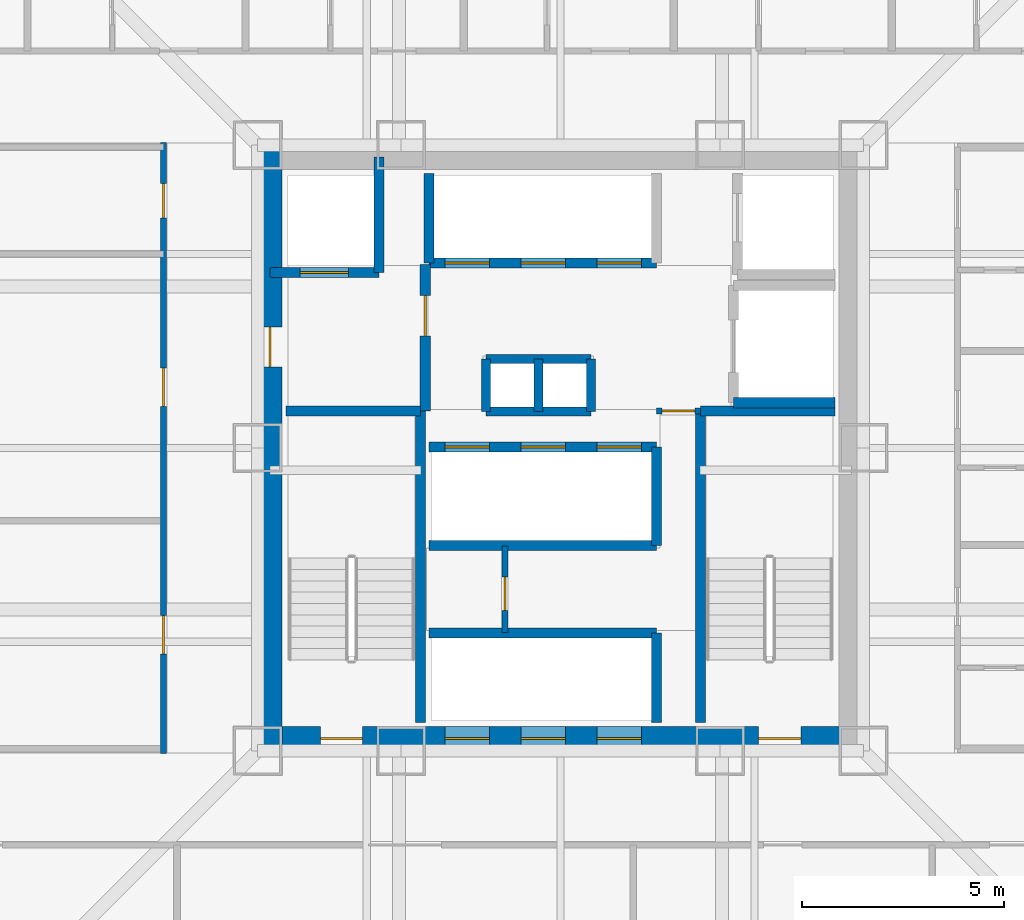
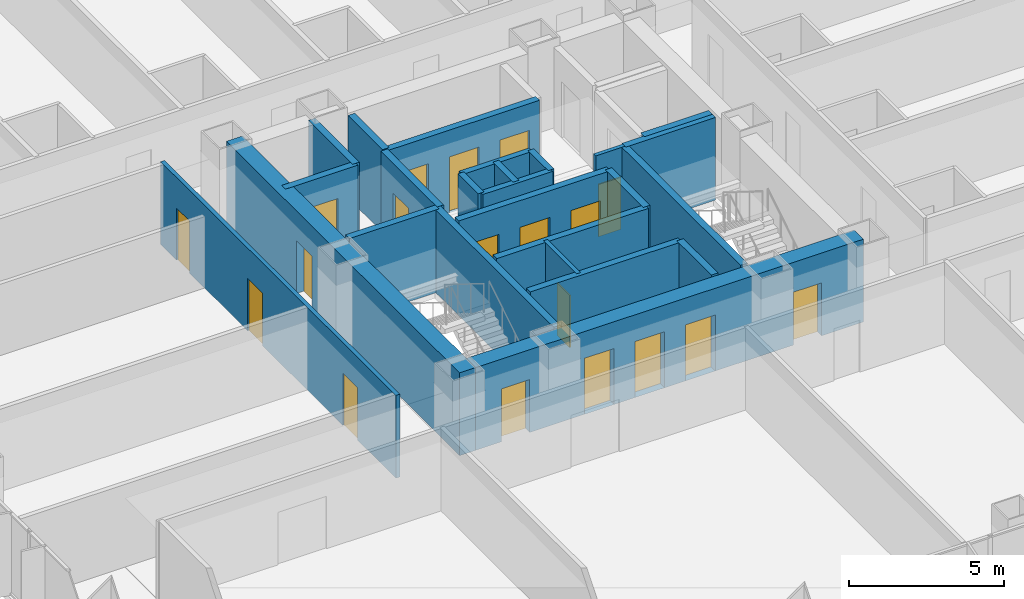
# One storey, part 11 of 17: 25 walls, 19 doors, 19 openings.
"""IFC4 building model written with IfcOpenShell, lengths in metres."""

from ifc_helpers import new_model, si_unit, direction, frame, frame_2d, origin, place, context, subcontext, project, spatial, rectangle, extrude, material, layer, layer_set, type_object, element, fill, save


model = new_model("IFC4")

# Units and contexts
model_context = context("Model", 3, precision=1e-05, world=origin(), true_north=direction((0.0, 1.0)))
body_context = subcontext(model_context, "Body", "Model", "MODEL_VIEW")
ifc_project = project(units=[si_unit("LENGTHUNIT", "METRE"), si_unit("AREAUNIT", "SQUARE_METRE"), si_unit("VOLUMEUNIT", "CUBIC_METRE"), si_unit("PLANEANGLEUNIT", "RADIAN"), si_unit("MASSUNIT", "GRAM", prefix="KILO")], contexts=[model_context])

# Site, building, storey
site_placement = place(None, origin())
site = spatial("IfcSite", under=ifc_project, at=site_placement, CompositionType="ELEMENT")
building_placement = place(site_placement, origin())
building = spatial("IfcBuilding", under=site, at=building_placement, Name="Trevonay Congress Spire", CompositionType="ELEMENT")
storey_placement = place(building_placement, frame((0.0, 0.0, 69.0)))
storey = spatial("IfcBuildingStorey", under=building, at=storey_placement, Name="L17", CompositionType="ELEMENT", Elevation=69.0)

# Wall, openings, doors
ifc_material_1 = material(Name="Concrete C60/75", Category="concrete")
ifc_layer_1 = layer(ifc_material_1, 0.60009765625, Name="Concrete C60/75")
ifc_layer_set_1 = layer_set([ifc_layer_1], Name="Concrete C60/75")
wall_type_1 = type_object("IfcWallType", Name="WAL-CORE-600", PredefinedType="SHEAR", material=ifc_layer_set_1)
wall_1_placement = place(storey_placement, frame((-7.5, -7.199951171875, 0.0), z_axis=(0.0, 0.0, 1.0), x_axis=(1.0, 0.0, 0.0)))
wall_1 = element("IfcWall", 1, at=wall_1_placement, inside=storey, type_object=wall_type_1, Name="L17 South structural core shear wall", PredefinedType="SHEAR", context=body_context, shape_type="SweptSolid", body=[
    extrude(rectangle(XDim=15.0, YDim=0.60009765625, at=frame_2d((7.5, 0.0))), origin(), (0.0, 0.0, 1.0), 3.25),
])
opening_1_placement = place(wall_1_placement, frame((1.550048828125, 0.0, 0.0)))
opening_1 = element("IfcOpeningElement", 2, at=opening_1_placement, cuts=wall_1, Name="Opening D05", PredefinedType="OPENING", context=body_context, shape_type="SweptSolid", body=[
    extrude(rectangle(XDim=1.050048828125, YDim=2.080078125, at=frame_2d((0.52490234375, 1.0400390625))), frame((0.0, 0.31005859375, 0.0), z_axis=(0.0, -1.0, 0.0), x_axis=(1.0, 0.0, 0.0)), (0.0, 0.0, 1.0), 0.6201171875),
])
opening_2_placement = place(wall_1_placement, frame((12.39990234375, 0.0, 0.0)))
opening_2 = element("IfcOpeningElement", 3, at=opening_2_placement, cuts=wall_1, Name="Opening D05", PredefinedType="OPENING", context=body_context, shape_type="SweptSolid", body=[
    extrude(rectangle(XDim=1.050048828125, YDim=2.080078125, at=frame_2d((0.52490234375, 1.0400390625))), frame((0.0, 0.31005859375, 0.0), z_axis=(0.0, -1.0, 0.0), x_axis=(1.0, 0.0, 0.0)), (0.0, 0.0, 1.0), 0.6201171875),
])
opening_3_placement = place(wall_1_placement, frame((4.639892578125, 0.0, 0.0)))
opening_3 = element("IfcOpeningElement", 4, at=opening_3_placement, cuts=wall_1, Name="Opening LD01", PredefinedType="OPENING", context=body_context, shape_type="SweptSolid", body=[
    extrude(rectangle(XDim=1.10009765625, YDim=2.199951171875, at=frame_2d((0.550048828125, 1.10009765625))), frame((0.0, 0.31005859375, 0.0), z_axis=(0.0, -1.0, 0.0), x_axis=(1.0, 0.0, 0.0)), (0.0, 0.0, 1.0), 0.6201171875),
])
opening_4_placement = place(wall_1_placement, frame((6.52001953125, 0.0, 0.0)))
opening_4 = element("IfcOpeningElement", 5, at=opening_4_placement, cuts=wall_1, Name="Opening LD01", PredefinedType="OPENING", context=body_context, shape_type="SweptSolid", body=[
    extrude(rectangle(XDim=1.10009765625, YDim=2.199951171875, at=frame_2d((0.550048828125, 1.10009765625))), frame((0.0, 0.31005859375, 0.0), z_axis=(0.0, -1.0, 0.0), x_axis=(1.0, 0.0, 0.0)), (0.0, 0.0, 1.0), 0.6201171875),
])
opening_5_placement = place(wall_1_placement, frame((8.39990234375, 0.0, 0.0)))
opening_5 = element("IfcOpeningElement", 6, at=opening_5_placement, cuts=wall_1, Name="Opening LD01", PredefinedType="OPENING", context=body_context, shape_type="SweptSolid", body=[
    extrude(rectangle(XDim=1.10009765625, YDim=2.199951171875, at=frame_2d((0.550048828125, 1.10009765625))), frame((0.0, 0.31005859375, 0.0), z_axis=(0.0, -1.0, 0.0), x_axis=(1.0, 0.0, 0.0)), (0.0, 0.0, 1.0), 0.6201171875),
])
ifc_material_2 = material(Name="Pale Anodised Aluminium EN AW-6063-T6", Category="aluminium")
door_type_1 = type_object("IfcDoorType", Name="DOR-LIFT-LD01", OperationType="DOUBLE_DOOR_SLIDING", PredefinedType="DOOR", material=ifc_material_2)
door_1_placement = place(opening_3_placement, origin())
door_1 = element("IfcDoor", 7, at=door_1_placement, inside=storey, type_object=door_type_1, Name="L17 Passenger lift PL-01 landing door", OperationType="DOUBLE_DOOR_SLIDING", OverallHeight=2.199951171875, OverallWidth=1.10009765625, PredefinedType="DOOR", context=body_context, shape_type="SweptSolid", body=[
    extrude(rectangle(XDim=1.10009765625, YDim=2.199951171875, at=frame_2d((0.550048828125, 1.10009765625))), frame((0.0, 0.02490234375, 0.0), z_axis=(0.0, -1.0, 0.0), x_axis=(1.0, 0.0, 0.0)), (0.0, 0.0, 1.0), 0.050048828125),
])
fill(opening_3, door_1)
door_2_placement = place(opening_4_placement, origin())
door_2 = element("IfcDoor", 8, at=door_2_placement, inside=storey, type_object=door_type_1, Name="L17 Passenger lift PL-02 landing door", OperationType="DOUBLE_DOOR_SLIDING", OverallHeight=2.199951171875, OverallWidth=1.10009765625, PredefinedType="DOOR", context=body_context, shape_type="SweptSolid", body=[
    extrude(rectangle(XDim=1.10009765625, YDim=2.199951171875, at=frame_2d((0.550048828125, 1.10009765625))), frame((0.0, 0.02490234375, 0.0), z_axis=(0.0, -1.0, 0.0), x_axis=(1.0, 0.0, 0.0)), (0.0, 0.0, 1.0), 0.050048828125),
])
fill(opening_4, door_2)
door_3_placement = place(opening_5_placement, origin())
door_3 = element("IfcDoor", 9, at=door_3_placement, inside=storey, type_object=door_type_1, Name="L17 Passenger lift PL-03 landing door", OperationType="DOUBLE_DOOR_SLIDING", OverallHeight=2.199951171875, OverallWidth=1.10009765625, PredefinedType="DOOR", context=body_context, shape_type="SweptSolid", body=[
    extrude(rectangle(XDim=1.10009765625, YDim=2.199951171875, at=frame_2d((0.550048828125, 1.10009765625))), frame((0.0, 0.02490234375, 0.0), z_axis=(0.0, -1.0, 0.0), x_axis=(1.0, 0.0, 0.0)), (0.0, 0.0, 1.0), 0.050048828125),
])
fill(opening_5, door_3)
ifc_material_3 = material(Name="Steel ASTM A572 Grade 50", Category="steel")
door_type_2 = type_object("IfcDoorType", Name="DOR-STAIR-110", OperationType="NOTDEFINED", PredefinedType="DOOR", material=ifc_material_3)
door_4_placement = place(opening_1_placement, origin())
door_4 = element("IfcDoor", 10, at=door_4_placement, inside=storey, type_object=door_type_2, Name="L17 Protected Stair ST-1 Door", OperationType="SINGLE_SWING_LEFT", OverallHeight=2.080078125, OverallWidth=1.050048828125, PredefinedType="DOOR", context=body_context, shape_type="SweptSolid", body=[
    extrude(rectangle(XDim=1.050048828125, YDim=2.080078125, at=frame_2d((0.52490234375, 1.0400390625))), frame((0.0, 0.02490234375, 0.0), z_axis=(0.0, -1.0, 0.0), x_axis=(1.0, 0.0, 0.0)), (0.0, 0.0, 1.0), 0.050048828125),
])
fill(opening_1, door_4)
door_5_placement = place(opening_2_placement, origin())
door_5 = element("IfcDoor", 11, at=door_5_placement, inside=storey, type_object=door_type_2, Name="L17 Protected Stair ST-2 Door", OperationType="SINGLE_SWING_RIGHT", OverallHeight=2.080078125, OverallWidth=1.050048828125, PredefinedType="DOOR", context=body_context, shape_type="SweptSolid", body=[
    extrude(rectangle(XDim=1.050048828125, YDim=2.080078125, at=frame_2d((0.52490234375, 1.0400390625))), frame((0.0, 0.02490234375, 0.0), z_axis=(0.0, -1.0, 0.0), x_axis=(1.0, 0.0, 0.0)), (0.0, 0.0, 1.0), 0.050048828125),
])
fill(opening_2, door_5)

# Wall, opening, door
wall_2_placement = place(storey_placement, frame((-7.199951171875, -7.5, 0.0), z_axis=(0.0, 0.0, 1.0), x_axis=(0.0, 1.0, 0.0)))
wall_2 = element("IfcWall", 12, at=wall_2_placement, inside=storey, type_object=wall_type_1, Name="L17 West structural core shear wall", PredefinedType="SHEAR", context=body_context, shape_type="SweptSolid", body=[
    extrude(rectangle(XDim=15.0, YDim=0.60009765625, at=frame_2d((7.5, 0.0))), origin(), (0.0, 0.0, 1.0), 3.25),
])
opening_6_placement = place(wall_2_placement, frame((9.5, 0.0, 0.0)))
opening_6 = element("IfcOpeningElement", 13, at=opening_6_placement, cuts=wall_2, Name="Opening D06", PredefinedType="OPENING", context=body_context, shape_type="SweptSolid", body=[
    extrude(rectangle(XDim=1.0, YDim=2.080078125, at=frame_2d((0.5, 1.0400390625))), frame((0.0, 0.31005859375, 0.0), z_axis=(0.0, -1.0, 0.0), x_axis=(1.0, 0.0, 0.0)), (0.0, 0.0, 1.0), 0.6201171875),
])
door_type_3 = type_object("IfcDoorType", Name="DOR-FIRE-100", OperationType="NOTDEFINED", PredefinedType="DOOR", material=ifc_material_3)
door_6_placement = place(opening_6_placement, origin())
door_6 = element("IfcDoor", 14, at=door_6_placement, inside=storey, type_object=door_type_3, Name="L17 Firefighting Lift Lobby West Corridor Door", OperationType="SINGLE_SWING_LEFT", OverallHeight=2.080078125, OverallWidth=1.0, PredefinedType="DOOR", context=body_context, shape_type="SweptSolid", body=[
    extrude(rectangle(XDim=1.0, YDim=2.080078125, at=frame_2d((0.5, 1.0400390625))), frame((0.0, 0.02490234375, 0.0), z_axis=(0.0, -1.0, 0.0), x_axis=(1.0, 0.0, 0.0)), (0.0, 0.0, 1.0), 0.050048828125),
])
fill(opening_6, door_6)

# Wall, openings, doors
ifc_material_4 = material(Name="Concrete C40/50", Category="concrete")
ifc_layer_2 = layer(ifc_material_4, 0.14990234375, Name="Concrete C40/50")
ifc_layer_set_2 = layer_set([ifc_layer_2], Name="Concrete C40/50")
wall_type_2 = type_object("IfcWallType", Name="WAL-CORR-150", PredefinedType="PARTITIONING", material=ifc_layer_set_2)
wall_3_placement = place(storey_placement, frame((-9.830078125, -7.570068359375, 0.0), z_axis=(0.0, 0.0, 1.0), x_axis=(0.0, 1.0, 0.0)))
wall_3 = element("IfcWall", 15, at=wall_3_placement, inside=storey, type_object=wall_type_2, Name="L17 interior wall WP-L17W-COR", PredefinedType="PARTITIONING", context=body_context, shape_type="SweptSolid", body=[
    extrude(rectangle(XDim=15.14013671875, YDim=0.14990234375, at=frame_2d((7.570068359375, 0.0))), origin(), (0.0, 0.0, 1.0), 3.25),
])
opening_7_placement = place(wall_3_placement, frame((2.469970703125, 0.0, 0.0)))
opening_7 = element("IfcOpeningElement", 16, at=opening_7_placement, cuts=wall_3, Name="Opening D07", PredefinedType="OPENING", context=body_context, shape_type="SweptSolid", body=[
    extrude(rectangle(XDim=0.949951171875, YDim=2.06005859375, at=frame_2d((0.47509765625, 1.030029296875))), frame((0.0, 0.0849609375, 0.0), z_axis=(0.0, -1.0, 0.0), x_axis=(1.0, 0.0, 0.0)), (0.0, 0.0, 1.0), 0.169921875),
])
opening_8_placement = place(wall_3_placement, frame((8.594970703125, 0.0, 0.0)))
opening_8 = element("IfcOpeningElement", 17, at=opening_8_placement, cuts=wall_3, Name="Opening D07", PredefinedType="OPENING", context=body_context, shape_type="SweptSolid", body=[
    extrude(rectangle(XDim=0.949951171875, YDim=2.06005859375, at=frame_2d((0.47509765625, 1.030029296875))), frame((0.0, 0.0849609375, 0.0), z_axis=(0.0, -1.0, 0.0), x_axis=(1.0, 0.0, 0.0)), (0.0, 0.0, 1.0), 0.169921875),
])
opening_9_placement = place(wall_3_placement, frame((13.27001953125, 0.0, 0.0)))
opening_9 = element("IfcOpeningElement", 18, at=opening_9_placement, cuts=wall_3, Name="Opening D10", PredefinedType="OPENING", context=body_context, shape_type="SweptSolid", body=[
    extrude(rectangle(XDim=0.85009765625, YDim=2.050048828125, at=frame_2d((0.425048828125, 1.02490234375))), frame((0.0, 0.0849609375, 0.0), z_axis=(0.0, -1.0, 0.0), x_axis=(1.0, 0.0, 0.0)), (0.0, 0.0, 1.0), 0.169921875),
])
door_type_4 = type_object("IfcDoorType", Name="DOR-OFFICE-95", OperationType="NOTDEFINED", PredefinedType="DOOR", material=ifc_material_2)
door_7_placement = place(opening_7_placement, origin())
door_7 = element("IfcDoor", 19, at=door_7_placement, inside=storey, type_object=door_type_4, Name="L17 Private Dining Boardroom 1 Door", OperationType="SINGLE_SWING_RIGHT", OverallHeight=2.06005859375, OverallWidth=0.949951171875, PredefinedType="DOOR", context=body_context, shape_type="SweptSolid", body=[
    extrude(rectangle(XDim=0.949951171875, YDim=2.06005859375, at=frame_2d((0.47509765625, 1.030029296875))), frame((0.0, 0.02490234375, 0.0), z_axis=(0.0, -1.0, 0.0), x_axis=(1.0, 0.0, 0.0)), (0.0, 0.0, 1.0), 0.050048828125),
])
fill(opening_7, door_7)
door_8_placement = place(opening_8_placement, origin())
door_8 = element("IfcDoor", 20, at=door_8_placement, inside=storey, type_object=door_type_4, Name="L17 Housekeeping and Linen Room Door", OperationType="SINGLE_SWING_LEFT", OverallHeight=2.06005859375, OverallWidth=0.949951171875, PredefinedType="DOOR", context=body_context, shape_type="SweptSolid", body=[
    extrude(rectangle(XDim=0.949951171875, YDim=2.06005859375, at=frame_2d((0.47509765625, 1.030029296875))), frame((0.0, 0.02490234375, 0.0), z_axis=(0.0, -1.0, 0.0), x_axis=(1.0, 0.0, 0.0)), (0.0, 0.0, 1.0), 0.050048828125),
])
fill(opening_8, door_8)
door_type_5 = type_object("IfcDoorType", Name="DOR-WC-85", OperationType="NOTDEFINED", PredefinedType="DOOR", material=ifc_material_2)
door_9_placement = place(opening_9_placement, origin())
door_9 = element("IfcDoor", 21, at=door_9_placement, inside=storey, type_object=door_type_5, Name="L17 Male Restroom WC Door", OperationType="SINGLE_SWING_RIGHT", OverallHeight=2.050048828125, OverallWidth=0.85009765625, PredefinedType="DOOR", context=body_context, shape_type="SweptSolid", body=[
    extrude(rectangle(XDim=0.85009765625, YDim=2.050048828125, at=frame_2d((0.425048828125, 1.02490234375))), frame((0.0, 0.02490234375, 0.0), z_axis=(0.0, -1.0, 0.0), x_axis=(1.0, 0.0, 0.0)), (0.0, 0.0, 1.0), 0.050048828125),
])
fill(opening_9, door_9)

# Wall, opening, door
ifc_layer_3 = layer(ifc_material_4, 0.14990234375, Name="Concrete C40/50")
ifc_layer_set_3 = layer_set([ifc_layer_3], Name="Concrete C40/50")
wall_type_3 = type_object("IfcWallType", Name="WAL-PART-150", PredefinedType="PARTITIONING", material=ifc_layer_set_3)
wall_4_placement = place(storey_placement, frame((2.3798828125, 0.919921875, 0.0), z_axis=(0.0, 0.0, 1.0), x_axis=(1.0, 0.0, 0.0)))
wall_4 = element("IfcWall", 22, at=wall_4_placement, inside=storey, type_object=wall_type_3, Name="L17 interior wall CW-CSRV-N-L17", PredefinedType="PARTITIONING", context=body_context, shape_type="SweptSolid", body=[
    extrude(rectangle(XDim=1.090087890625, YDim=0.14990234375, at=frame_2d((0.544921875, 0.0))), origin(), (0.0, 0.0, 1.0), 3.25),
])
opening_10_placement = place(wall_4_placement, frame((0.135009765625, 0.0, 0.0)))
opening_10 = element("IfcOpeningElement", 23, at=opening_10_placement, cuts=wall_4, Name="Opening D13", PredefinedType="OPENING", context=body_context, shape_type="SweptSolid", body=[
    extrude(rectangle(XDim=0.820068359375, YDim=2.050048828125, at=frame_2d((0.41015625, 1.02490234375))), frame((0.0, 0.0849609375, 0.0), z_axis=(0.0, -1.0, 0.0), x_axis=(1.0, 0.0, 0.0)), (0.0, 0.0, 1.0), 0.169921875),
])
door_type_6 = type_object("IfcDoorType", Name="DOR-UTIL-80", OperationType="NOTDEFINED", PredefinedType="DOOR", material=ifc_material_3)
door_10_placement = place(opening_10_placement, origin())
door_10 = element("IfcDoor", 24, at=door_10_placement, inside=storey, type_object=door_type_6, Name="L17 Core Service Pocket Door", OperationType="SINGLE_SWING_LEFT", OverallHeight=2.050048828125, OverallWidth=0.820068359375, PredefinedType="DOOR", context=body_context, shape_type="SweptSolid", body=[
    extrude(rectangle(XDim=0.820068359375, YDim=2.050048828125, at=frame_2d((0.41015625, 1.02490234375))), frame((0.0, 0.02490234375, 0.0), z_axis=(0.0, -1.0, 0.0), x_axis=(1.0, 0.0, 0.0)), (0.0, 0.0, 1.0), 0.050048828125),
])
fill(opening_10, door_10)

wall_5_placement = place(storey_placement, frame((-1.3798828125, -4.570068359375, 0.0), z_axis=(0.0, 0.0, 1.0), x_axis=(0.0, 1.0, 0.0)))
wall_5 = element("IfcWall", 25, at=wall_5_placement, inside=storey, type_object=wall_type_3, Name="L17 interior wall CW-K2-L17", PredefinedType="PARTITIONING", context=body_context, shape_type="SweptSolid", body=[
    extrude(rectangle(XDim=2.14013671875, YDim=0.14990234375, at=frame_2d((1.070068359375, 0.0))), origin(), (0.0, 0.0, 1.0), 3.25),
])
opening_11_placement = place(wall_5_placement, frame((0.550048828125, 0.0, 0.0)))
opening_11 = element("IfcOpeningElement", 26, at=opening_11_placement, cuts=wall_5, Name="Opening D13", PredefinedType="OPENING", context=body_context, shape_type="SweptSolid", body=[
    extrude(rectangle(XDim=0.820068359375, YDim=2.050048828125, at=frame_2d((0.41015625, 1.02490234375))), frame((0.0, 0.0849609375, 0.0), z_axis=(0.0, -1.0, 0.0), x_axis=(1.0, 0.0, 0.0)), (0.0, 0.0, 1.0), 0.169921875),
])
door_11_placement = place(opening_11_placement, origin())
door_11 = element("IfcDoor", 27, at=door_11_placement, inside=storey, type_object=door_type_6, Name="L17 Core Valve Room Door", OperationType="SINGLE_SWING_RIGHT", OverallHeight=2.050048828125, OverallWidth=0.820068359375, PredefinedType="DOOR", context=body_context, shape_type="SweptSolid", body=[
    extrude(rectangle(XDim=0.820068359375, YDim=2.050048828125, at=frame_2d((0.41015625, 1.02490234375))), frame((0.0, 0.02490234375, 0.0), z_axis=(0.0, -1.0, 0.0), x_axis=(1.0, 0.0, 0.0)), (0.0, 0.0, 1.0), 0.050048828125),
])
fill(opening_11, door_11)

# Walls
ifc_layer_4 = layer(ifc_material_4, 0.219970703125, Name="Concrete C40/50")
ifc_layer_set_4 = layer_set([ifc_layer_4], Name="Concrete C40/50")
wall_type_4 = type_object("IfcWallType", Name="WAL-SHAFT-220", PredefinedType="PARTITIONING", material=ifc_layer_set_4)
for number, where, z_axis, x_axis, name in (
    (28, (-1.85009765625, 2.199951171875, 0.0), (0.0, 0.0, 1.0), (1.0, 0.0, 0.0), "L17 interior shaft wall WSH-L17-RSR-N"),
    (29, (-1.85009765625, 0.89990234375, 0.0), (0.0, 0.0, 1.0), (1.0, 0.0, 0.0), "L17 interior shaft wall WSH-L17-RSR-S"),
):
    element("IfcWall", number, at=place(storey_placement, frame(where, z_axis=z_axis, x_axis=x_axis)), inside=storey, type_object=wall_type_4, Name=name, PredefinedType="PARTITIONING", context=body_context, shape_type="SweptSolid", body=[
        extrude(rectangle(XDim=2.60009765625, YDim=0.219970703125, at=frame_2d((1.300048828125, 0.0))), origin(), (0.0, 0.0, 1.0), 3.25),
    ])
for number, where, z_axis, x_axis, name in (
    (30, (-0.550048828125, 0.89990234375, 0.0), (0.0, 0.0, 1.0), (0.0, 1.0, 0.0), "L17 interior shaft wall WSH-L17-RSR-M"),
    (31, (0.75, 0.89990234375, 0.0), (0.0, 0.0, 1.0), (0.0, 1.0, 0.0), "L17 interior shaft wall WSH-L17-RSR-E"),
    (32, (-1.85009765625, 0.89990234375, 0.0), (0.0, 0.0, 1.0), (0.0, 1.0, 0.0), "L17 interior shaft wall WSH-L17-RSR-W"),
):
    element("IfcWall", number, at=place(storey_placement, frame(where, z_axis=z_axis, x_axis=x_axis)), inside=storey, type_object=wall_type_4, Name=name, PredefinedType="PARTITIONING", context=body_context, shape_type="SweptSolid", body=[
        extrude(rectangle(XDim=1.300048828125, YDim=0.219970703125, at=frame_2d((0.64990234375, 0.0))), origin(), (0.0, 0.0, 1.0), 3.25),
    ])
ifc_layer_5 = layer(ifc_material_4, 0.25, Name="Concrete C40/50")
ifc_layer_set_5 = layer_set([ifc_layer_5], Name="Concrete C40/50")
wall_type_5 = type_object("IfcWallType", Name="WAL-SHAFT-250", PredefinedType="SHEAR", material=ifc_layer_set_5)
wall_6_placement = place(storey_placement, frame((-3.260009765625, -4.580078125, 0.0), z_axis=(0.0, 0.0, 1.0), x_axis=(1.0, 0.0, 0.0)))
element("IfcWall", 33, at=wall_6_placement, inside=storey, type_object=wall_type_5, Name="L17 interior shaft wall WSH-L17-B1-N", PredefinedType="SHEAR", context=body_context, shape_type="SweptSolid", body=[
    extrude(rectangle(XDim=5.639892578125, YDim=0.25, at=frame_2d((2.81982421875, 0.0))), origin(), (0.0, 0.0, 1.0), 3.25),
])
wall_7_placement = place(storey_placement, frame((2.3798828125, -6.800048828125, 0.0), z_axis=(0.0, 0.0, 1.0), x_axis=(0.0, 1.0, 0.0)))
element("IfcWall", 34, at=wall_7_placement, inside=storey, type_object=wall_type_5, Name="L17 interior shaft wall WSH-L17-B1-E", PredefinedType="SHEAR", context=body_context, shape_type="SweptSolid", body=[
    extrude(rectangle(XDim=2.219970703125, YDim=0.25, at=frame_2d((1.10986328125, 0.0))), origin(), (0.0, 0.0, 1.0), 3.25),
])

# Wall, openings, doors
wall_8_placement = place(storey_placement, frame((-3.260009765625, 0.02001953125, 0.0), z_axis=(0.0, 0.0, 1.0), x_axis=(1.0, 0.0, 0.0)))
wall_8 = element("IfcWall", 35, at=wall_8_placement, inside=storey, type_object=wall_type_5, Name="L17 interior shaft wall WSH-L17-B2-N", PredefinedType="SHEAR", context=body_context, shape_type="SweptSolid", body=[
    extrude(rectangle(XDim=5.639892578125, YDim=0.25, at=frame_2d((2.81982421875, 0.0))), origin(), (0.0, 0.0, 1.0), 3.25),
])
opening_12_placement = place(wall_8_placement, frame((0.39990234375, 0.0, 0.0)))
opening_12 = element("IfcOpeningElement", 36, at=opening_12_placement, cuts=wall_8, Name="Opening LD02", PredefinedType="OPENING", context=body_context, shape_type="SweptSolid", body=[
    extrude(rectangle(XDim=1.10009765625, YDim=2.199951171875, at=frame_2d((0.550048828125, 1.10009765625))), frame((0.0, 0.135009765625, 0.0), z_axis=(0.0, -1.0, 0.0), x_axis=(1.0, 0.0, 0.0)), (0.0, 0.0, 1.0), 0.27001953125),
])
opening_13_placement = place(wall_8_placement, frame((2.280029296875, 0.0, 0.0)))
opening_13 = element("IfcOpeningElement", 37, at=opening_13_placement, cuts=wall_8, Name="Opening LD02", PredefinedType="OPENING", context=body_context, shape_type="SweptSolid", body=[
    extrude(rectangle(XDim=1.10009765625, YDim=2.199951171875, at=frame_2d((0.550048828125, 1.10009765625))), frame((0.0, 0.135009765625, 0.0), z_axis=(0.0, -1.0, 0.0), x_axis=(1.0, 0.0, 0.0)), (0.0, 0.0, 1.0), 0.27001953125),
])
opening_14_placement = place(wall_8_placement, frame((4.159912109375, 0.0, 0.0)))
opening_14 = element("IfcOpeningElement", 38, at=opening_14_placement, cuts=wall_8, Name="Opening LD02", PredefinedType="OPENING", context=body_context, shape_type="SweptSolid", body=[
    extrude(rectangle(XDim=1.10009765625, YDim=2.199951171875, at=frame_2d((0.550048828125, 1.10009765625))), frame((0.0, 0.135009765625, 0.0), z_axis=(0.0, -1.0, 0.0), x_axis=(1.0, 0.0, 0.0)), (0.0, 0.0, 1.0), 0.27001953125),
])
door_type_7 = type_object("IfcDoorType", Name="DOR-LIFT-LD02", OperationType="DOUBLE_DOOR_SLIDING", PredefinedType="DOOR", material=ifc_material_2)
door_12_placement = place(opening_12_placement, origin())
door_12 = element("IfcDoor", 39, at=door_12_placement, inside=storey, type_object=door_type_7, Name="L17 Passenger lift PL-04 landing door", OperationType="DOUBLE_DOOR_SLIDING", OverallHeight=2.199951171875, OverallWidth=1.10009765625, PredefinedType="DOOR", context=body_context, shape_type="SweptSolid", body=[
    extrude(rectangle(XDim=1.10009765625, YDim=2.199951171875, at=frame_2d((0.550048828125, 1.10009765625))), frame((0.0, 0.02490234375, 0.0), z_axis=(0.0, -1.0, 0.0), x_axis=(1.0, 0.0, 0.0)), (0.0, 0.0, 1.0), 0.050048828125),
])
fill(opening_12, door_12)
door_13_placement = place(opening_13_placement, origin())
door_13 = element("IfcDoor", 40, at=door_13_placement, inside=storey, type_object=door_type_7, Name="L17 Passenger lift PL-05 landing door", OperationType="DOUBLE_DOOR_SLIDING", OverallHeight=2.199951171875, OverallWidth=1.10009765625, PredefinedType="DOOR", context=body_context, shape_type="SweptSolid", body=[
    extrude(rectangle(XDim=1.10009765625, YDim=2.199951171875, at=frame_2d((0.550048828125, 1.10009765625))), frame((0.0, 0.02490234375, 0.0), z_axis=(0.0, -1.0, 0.0), x_axis=(1.0, 0.0, 0.0)), (0.0, 0.0, 1.0), 0.050048828125),
])
fill(opening_13, door_13)
door_14_placement = place(opening_14_placement, origin())
door_14 = element("IfcDoor", 41, at=door_14_placement, inside=storey, type_object=door_type_7, Name="L17 Passenger lift PL-06 landing door", OperationType="DOUBLE_DOOR_SLIDING", OverallHeight=2.199951171875, OverallWidth=1.10009765625, PredefinedType="DOOR", context=body_context, shape_type="SweptSolid", body=[
    extrude(rectangle(XDim=1.10009765625, YDim=2.199951171875, at=frame_2d((0.550048828125, 1.10009765625))), frame((0.0, 0.02490234375, 0.0), z_axis=(0.0, -1.0, 0.0), x_axis=(1.0, 0.0, 0.0)), (0.0, 0.0, 1.0), 0.050048828125),
])
fill(opening_14, door_14)

# Walls
wall_9_placement = place(storey_placement, frame((-3.260009765625, -2.419921875, 0.0), z_axis=(0.0, 0.0, 1.0), x_axis=(1.0, 0.0, 0.0)))
element("IfcWall", 42, at=wall_9_placement, inside=storey, type_object=wall_type_5, Name="L17 interior shaft wall WSH-L17-B2-S", PredefinedType="SHEAR", context=body_context, shape_type="SweptSolid", body=[
    extrude(rectangle(XDim=5.639892578125, YDim=0.25, at=frame_2d((2.81982421875, 0.0))), origin(), (0.0, 0.0, 1.0), 3.25),
])
wall_10_placement = place(storey_placement, frame((2.3798828125, -2.419921875, 0.0), z_axis=(0.0, 0.0, 1.0), x_axis=(0.0, 1.0, 0.0)))
element("IfcWall", 43, at=wall_10_placement, inside=storey, type_object=wall_type_5, Name="L17 interior shaft wall WSH-L17-B2-E", PredefinedType="SHEAR", context=body_context, shape_type="SweptSolid", body=[
    extrude(rectangle(XDim=2.43994140625, YDim=0.25, at=frame_2d((1.219970703125, 0.0))), origin(), (0.0, 0.0, 1.0), 3.25),
])

# Wall, openings, doors
wall_11_placement = place(storey_placement, frame((-3.260009765625, 4.580078125, 0.0), z_axis=(0.0, 0.0, 1.0), x_axis=(1.0, 0.0, 0.0)))
wall_11 = element("IfcWall", 44, at=wall_11_placement, inside=storey, type_object=wall_type_5, Name="L17 interior shaft wall WSH-L17-B3-S", PredefinedType="SHEAR", context=body_context, shape_type="SweptSolid", body=[
    extrude(rectangle(XDim=5.639892578125, YDim=0.25, at=frame_2d((2.81982421875, 0.0))), origin(), (0.0, 0.0, 1.0), 3.25),
])
opening_15_placement = place(wall_11_placement, frame((0.39990234375, 0.0, 0.0)))
opening_15 = element("IfcOpeningElement", 45, at=opening_15_placement, cuts=wall_11, Name="Opening LD03", PredefinedType="OPENING", context=body_context, shape_type="SweptSolid", body=[
    extrude(rectangle(XDim=1.10009765625, YDim=2.199951171875, at=frame_2d((0.550048828125, 1.10009765625))), frame((0.0, 0.135009765625, 0.0), z_axis=(0.0, -1.0, 0.0), x_axis=(1.0, 0.0, 0.0)), (0.0, 0.0, 1.0), 0.27001953125),
])
opening_16_placement = place(wall_11_placement, frame((2.280029296875, 0.0, 0.0)))
opening_16 = element("IfcOpeningElement", 46, at=opening_16_placement, cuts=wall_11, Name="Opening LD03", PredefinedType="OPENING", context=body_context, shape_type="SweptSolid", body=[
    extrude(rectangle(XDim=1.10009765625, YDim=2.199951171875, at=frame_2d((0.550048828125, 1.10009765625))), frame((0.0, 0.135009765625, 0.0), z_axis=(0.0, -1.0, 0.0), x_axis=(1.0, 0.0, 0.0)), (0.0, 0.0, 1.0), 0.27001953125),
])
opening_17_placement = place(wall_11_placement, frame((4.159912109375, 0.0, 0.0)))
opening_17 = element("IfcOpeningElement", 47, at=opening_17_placement, cuts=wall_11, Name="Opening LD03", PredefinedType="OPENING", context=body_context, shape_type="SweptSolid", body=[
    extrude(rectangle(XDim=1.10009765625, YDim=2.199951171875, at=frame_2d((0.550048828125, 1.10009765625))), frame((0.0, 0.135009765625, 0.0), z_axis=(0.0, -1.0, 0.0), x_axis=(1.0, 0.0, 0.0)), (0.0, 0.0, 1.0), 0.27001953125),
])
door_type_8 = type_object("IfcDoorType", Name="DOR-LIFT-LD03", OperationType="DOUBLE_DOOR_SLIDING", PredefinedType="DOOR", material=ifc_material_2)
door_15_placement = place(opening_15_placement, origin())
door_15 = element("IfcDoor", 48, at=door_15_placement, inside=storey, type_object=door_type_8, Name="L17 Passenger lift PL-07 landing door", OperationType="DOUBLE_DOOR_SLIDING", OverallHeight=2.199951171875, OverallWidth=1.10009765625, PredefinedType="DOOR", context=body_context, shape_type="SweptSolid", body=[
    extrude(rectangle(XDim=1.10009765625, YDim=2.199951171875, at=frame_2d((0.550048828125, 1.10009765625))), frame((0.0, 0.02490234375, 0.0), z_axis=(0.0, -1.0, 0.0), x_axis=(1.0, 0.0, 0.0)), (0.0, 0.0, 1.0), 0.050048828125),
])
fill(opening_15, door_15)
door_16_placement = place(opening_16_placement, origin())
door_16 = element("IfcDoor", 49, at=door_16_placement, inside=storey, type_object=door_type_8, Name="L17 Passenger lift PL-08 landing door", OperationType="DOUBLE_DOOR_SLIDING", OverallHeight=2.199951171875, OverallWidth=1.10009765625, PredefinedType="DOOR", context=body_context, shape_type="SweptSolid", body=[
    extrude(rectangle(XDim=1.10009765625, YDim=2.199951171875, at=frame_2d((0.550048828125, 1.10009765625))), frame((0.0, 0.02490234375, 0.0), z_axis=(0.0, -1.0, 0.0), x_axis=(1.0, 0.0, 0.0)), (0.0, 0.0, 1.0), 0.050048828125),
])
fill(opening_16, door_16)
door_17_placement = place(opening_17_placement, origin())
door_17 = element("IfcDoor", 50, at=door_17_placement, inside=storey, type_object=door_type_8, Name="L17 Passenger lift PL-09 landing door", OperationType="DOUBLE_DOOR_SLIDING", OverallHeight=2.199951171875, OverallWidth=1.10009765625, PredefinedType="DOOR", context=body_context, shape_type="SweptSolid", body=[
    extrude(rectangle(XDim=1.10009765625, YDim=2.199951171875, at=frame_2d((0.550048828125, 1.10009765625))), frame((0.0, 0.02490234375, 0.0), z_axis=(0.0, -1.0, 0.0), x_axis=(1.0, 0.0, 0.0)), (0.0, 0.0, 1.0), 0.050048828125),
])
fill(opening_17, door_17)

# Wall
wall_12_placement = place(storey_placement, frame((-3.260009765625, 4.580078125, 0.0), z_axis=(0.0, 0.0, 1.0), x_axis=(0.0, 1.0, 0.0)))
element("IfcWall", 51, at=wall_12_placement, inside=storey, type_object=wall_type_5, Name="L17 interior shaft wall WSH-L17-B3-W", PredefinedType="SHEAR", context=body_context, shape_type="SweptSolid", body=[
    extrude(rectangle(XDim=2.219970703125, YDim=0.25, at=frame_2d((1.10986328125, 0.0))), origin(), (0.0, 0.0, 1.0), 3.25),
])

# Wall, opening, door
wall_13_placement = place(storey_placement, frame((-7.199951171875, 4.35009765625, 0.0), z_axis=(0.0, 0.0, 1.0), x_axis=(1.0, 0.0, 0.0)))
wall_13 = element("IfcWall", 52, at=wall_13_placement, inside=storey, type_object=wall_type_5, Name="L17 interior shaft wall WSH-L17-FF1-S", PredefinedType="SHEAR", context=body_context, shape_type="SweptSolid", body=[
    extrude(rectangle(XDim=2.699951171875, YDim=0.25, at=frame_2d((1.35009765625, 0.0))), origin(), (0.0, 0.0, 1.0), 3.25),
])
opening_18_placement = place(wall_13_placement, frame((0.75, 0.0, 0.0)))
opening_18 = element("IfcOpeningElement", 53, at=opening_18_placement, cuts=wall_13, Name="Opening LD04", PredefinedType="OPENING", context=body_context, shape_type="SweptSolid", body=[
    extrude(rectangle(XDim=1.199951171875, YDim=2.199951171875, at=frame_2d((0.60009765625, 1.10009765625))), frame((0.0, 0.135009765625, 0.0), z_axis=(0.0, -1.0, 0.0), x_axis=(1.0, 0.0, 0.0)), (0.0, 0.0, 1.0), 0.27001953125),
])
door_type_9 = type_object("IfcDoorType", Name="DOR-LIFT-LD04", OperationType="DOUBLE_DOOR_SLIDING", PredefinedType="DOOR", material=ifc_material_3)
door_18_placement = place(opening_18_placement, origin())
door_18 = element("IfcDoor", 54, at=door_18_placement, inside=storey, type_object=door_type_9, Name="L17 Firefighting lift FFL-01 landing door", OperationType="DOUBLE_DOOR_SLIDING", OverallHeight=2.199951171875, OverallWidth=1.199951171875, PredefinedType="DOOR", context=body_context, shape_type="SweptSolid", body=[
    extrude(rectangle(XDim=1.199951171875, YDim=2.199951171875, at=frame_2d((0.60009765625, 1.10009765625))), frame((0.0, 0.02490234375, 0.0), z_axis=(0.0, -1.0, 0.0), x_axis=(1.0, 0.0, 0.0)), (0.0, 0.0, 1.0), 0.050048828125),
])
fill(opening_18, door_18)

# Walls
wall_14_placement = place(storey_placement, frame((-4.5, 4.35009765625, 0.0), z_axis=(0.0, 0.0, 1.0), x_axis=(0.0, 1.0, 0.0)))
element("IfcWall", 55, at=wall_14_placement, inside=storey, type_object=wall_type_5, Name="L17 interior shaft wall WSH-L17-FF1-E", PredefinedType="SHEAR", context=body_context, shape_type="SweptSolid", body=[
    extrude(rectangle(XDim=2.849853515625, YDim=0.25, at=frame_2d((1.4248046875, 0.0))), origin(), (0.0, 0.0, 1.0), 3.25),
])
wall_15_placement = place(storey_placement, frame((4.280029296875, 1.1201171875, 0.0), z_axis=(0.0, 0.0, 1.0), x_axis=(1.0, 0.0, 0.0)))
element("IfcWall", 56, at=wall_15_placement, inside=storey, type_object=wall_type_5, Name="L17 interior shaft wall WSH-L17-SV-S", PredefinedType="SHEAR", context=body_context, shape_type="SweptSolid", body=[
    extrude(rectangle(XDim=2.52001953125, YDim=0.25, at=frame_2d((1.260009765625, 0.0))), origin(), (0.0, 0.0, 1.0), 3.25),
])

# Wall, opening, door
wall_16_placement = place(storey_placement, frame((-3.35009765625, 0.919921875, 0.0), z_axis=(0.0, 0.0, 1.0), x_axis=(0.0, 1.0, 0.0)))
wall_16 = element("IfcWall", 57, at=wall_16_placement, inside=storey, type_object=wall_type_5, Name="L17 interior wall CW-FFLW-E-L17", PredefinedType="SHEAR", context=body_context, shape_type="SweptSolid", body=[
    extrude(rectangle(XDim=3.6201171875, YDim=0.25, at=frame_2d((1.81005859375, 0.0))), origin(), (0.0, 0.0, 1.0), 3.25),
])
opening_19_placement = place(wall_16_placement, frame((1.85009765625, 0.0, 0.0)))
opening_19 = element("IfcOpeningElement", 58, at=opening_19_placement, cuts=wall_16, Name="Opening D06", PredefinedType="OPENING", context=body_context, shape_type="SweptSolid", body=[
    extrude(rectangle(XDim=1.0, YDim=2.080078125, at=frame_2d((0.5, 1.0400390625))), frame((0.0, 0.135009765625, 0.0), z_axis=(0.0, -1.0, 0.0), x_axis=(1.0, 0.0, 0.0)), (0.0, 0.0, 1.0), 0.27001953125),
])
door_19_placement = place(opening_19_placement, origin())
door_19 = element("IfcDoor", 59, at=door_19_placement, inside=storey, type_object=door_type_3, Name="L17 Firefighting Core Lobby Transfer Door", OperationType="SINGLE_SWING_RIGHT", OverallHeight=2.080078125, OverallWidth=1.0, PredefinedType="DOOR", context=body_context, shape_type="SweptSolid", body=[
    extrude(rectangle(XDim=1.0, YDim=2.080078125, at=frame_2d((0.5, 1.0400390625))), frame((0.0, 0.02490234375, 0.0), z_axis=(0.0, -1.0, 0.0), x_axis=(1.0, 0.0, 0.0)), (0.0, 0.0, 1.0), 0.050048828125),
])
fill(opening_19, door_19)

# Walls
ifc_layer_6 = layer(ifc_material_4, 0.25, Name="Concrete C40/50")
ifc_layer_set_6 = layer_set([ifc_layer_6], Name="Concrete C40/50")
wall_type_6 = type_object("IfcWallType", Name="WAL-SHAFT-LB-250", PredefinedType="SHEAR", material=ifc_layer_set_6)
wall_17_placement = place(storey_placement, frame((-3.469970703125, -6.800048828125, 0.0), z_axis=(0.0, 0.0, 1.0), x_axis=(0.0, 1.0, 0.0)))
element("IfcWall", 60, at=wall_17_placement, inside=storey, type_object=wall_type_6, Name="L17 interior shaft wall WSH-L17-ST1-E", PredefinedType="SHEAR", context=body_context, shape_type="SweptSolid", body=[
    extrude(rectangle(XDim=7.719970703125, YDim=0.25, at=frame_2d((3.85986328125, 0.0))), origin(), (0.0, 0.0, 1.0), 3.25),
])
wall_18_placement = place(storey_placement, frame((-6.800048828125, 0.919921875, 0.0), z_axis=(0.0, 0.0, 1.0), x_axis=(1.0, 0.0, 0.0)))
element("IfcWall", 61, at=wall_18_placement, inside=storey, type_object=wall_type_6, Name="L17 interior shaft wall WSH-L17-ST1-N", PredefinedType="SHEAR", context=body_context, shape_type="SweptSolid", body=[
    extrude(rectangle(XDim=3.330078125, YDim=0.25, at=frame_2d((1.6650390625, 0.0))), origin(), (0.0, 0.0, 1.0), 3.25),
])
wall_19_placement = place(storey_placement, frame((3.469970703125, -6.800048828125, 0.0), z_axis=(0.0, 0.0, 1.0), x_axis=(0.0, 1.0, 0.0)))
element("IfcWall", 62, at=wall_19_placement, inside=storey, type_object=wall_type_6, Name="L17 interior shaft wall WSH-L17-ST2-W", PredefinedType="SHEAR", context=body_context, shape_type="SweptSolid", body=[
    extrude(rectangle(XDim=7.719970703125, YDim=0.25, at=frame_2d((3.85986328125, 0.0))), origin(), (0.0, 0.0, 1.0), 3.25),
])
wall_20_placement = place(storey_placement, frame((3.469970703125, 0.919921875, 0.0), z_axis=(0.0, 0.0, 1.0), x_axis=(1.0, 0.0, 0.0)))
element("IfcWall", 63, at=wall_20_placement, inside=storey, type_object=wall_type_6, Name="L17 interior shaft wall WSH-L17-ST2-N", PredefinedType="SHEAR", context=body_context, shape_type="SweptSolid", body=[
    extrude(rectangle(XDim=3.330078125, YDim=0.25, at=frame_2d((1.6650390625, 0.0))), origin(), (0.0, 0.0, 1.0), 3.25),
])

save(model, "model.ifc")
